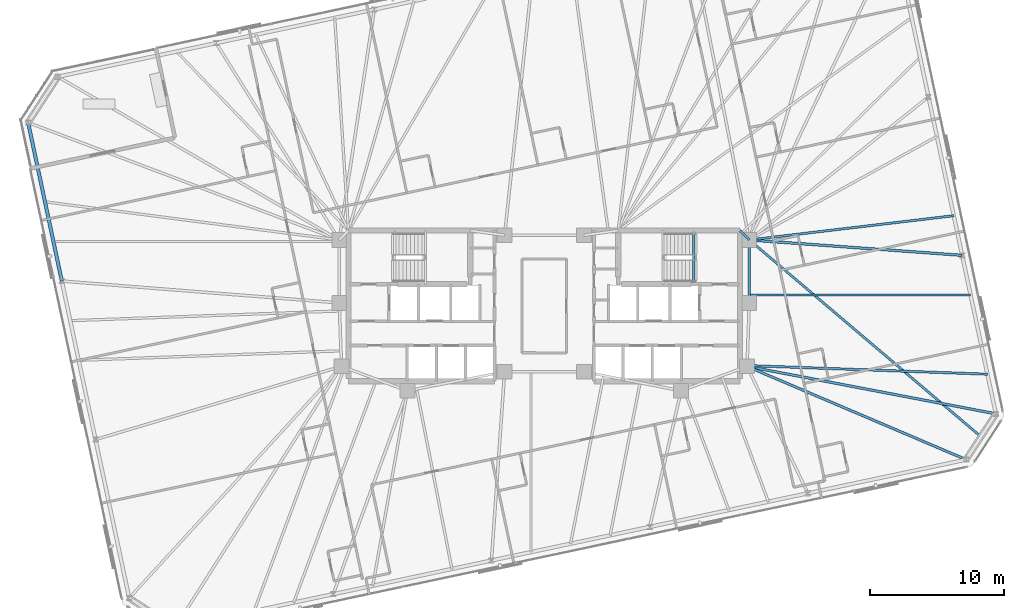
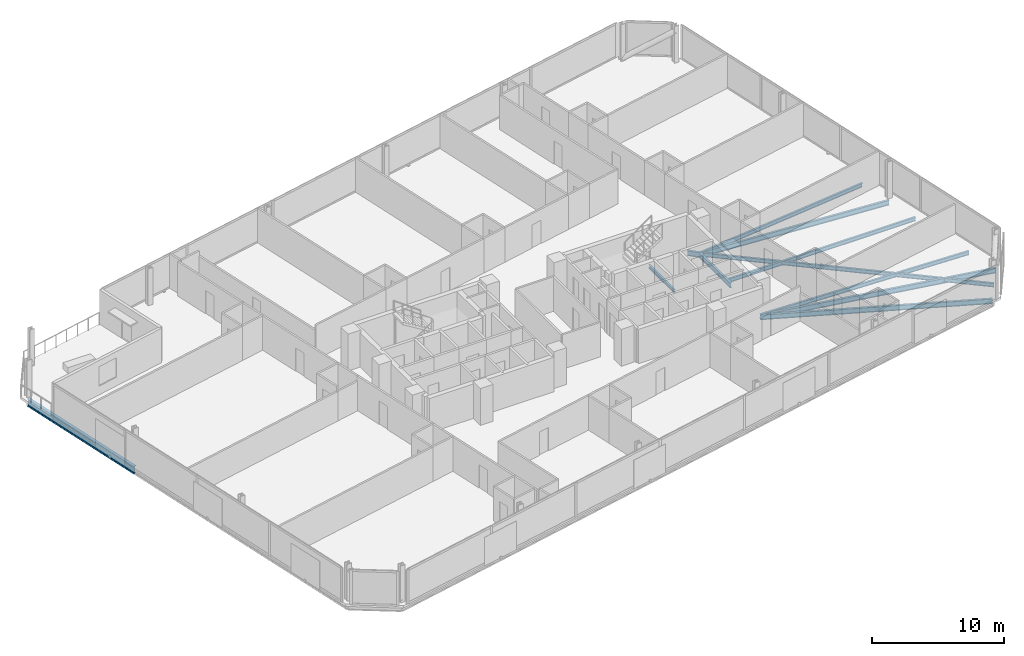
# One storey, part 9 of 20: 11 beams.
"""IFC4 building model written with IfcOpenShell, lengths in metres."""

from ifc_helpers import new_model, si_unit, direction, frame, origin, origin_2d, place, context, subcontext, project, spatial, i_section, extrude, material, material_profile, profile_set, type_object, element, save


model = new_model("IFC4")

# Units and contexts
model_context = context("Model", 3, precision=1e-05, world=origin(), true_north=direction((0.0, 1.0)))
body_context = subcontext(model_context, "Body", "Model", "MODEL_VIEW")
ifc_project = project(units=[si_unit("LENGTHUNIT", "METRE"), si_unit("AREAUNIT", "SQUARE_METRE"), si_unit("VOLUMEUNIT", "CUBIC_METRE"), si_unit("PLANEANGLEUNIT", "RADIAN"), si_unit("MASSUNIT", "GRAM", prefix="KILO")], contexts=[model_context])

# Site, building, storey
site_placement = place(None, origin())
site = spatial("IfcSite", under=ifc_project, at=site_placement, CompositionType="ELEMENT")
building_placement = place(site_placement, origin())
building = spatial("IfcBuilding", under=site, at=building_placement, Name="Menara Jurai Vektor", CompositionType="ELEMENT")
storey_placement = place(building_placement, frame((0.0, 0.0, 175.199951171875)))
storey = spatial("IfcBuildingStorey", under=building, at=storey_placement, Name="L45", CompositionType="ELEMENT", Elevation=175.199951171875)

# Beams
ifc_material_1 = material(Name="Steel S355", Category="steel")
ifc_material_profile_1 = material_profile(ifc_material_1, i_section(OverallWidth=0.19091796875, OverallDepth=0.4599609375, WebThickness=0.010009765625, FlangeThickness=0.01611328125, FilletRadius=0.010009765625, at=origin_2d()), Name="UKB 457x191x82")
ifc_profile_set_1 = profile_set([ifc_material_profile_1], Name="Steel S355")
beam_type_1 = type_object("IfcBeamType", Name="STR-BM-457", PredefinedType="BEAM", material=ifc_profile_set_1)
beam_1_placement = place(storey_placement, frame((14.56005859375, 5.60009765625, -0.454833984375), z_axis=(0.701871936926, -0.712303154672, 0.0), x_axis=(0.712303154672, 0.701871936926, 0.0)))
element("IfcBeam", 1, at=beam_1_placement, inside=storey, type_object=beam_type_1, Name="Core Ring Header Girder L45-CHE-N2", PredefinedType="BEAM", context=body_context, shape_type="SweptSolid", body=[
    extrude(i_section(OverallWidth=0.19091796875, OverallDepth=0.4599609375, WebThickness=0.010009765625, FlangeThickness=0.01611328125, FilletRadius=0.010009765625, at=origin_2d()), origin(), (0.0, 0.0, 1.0), 0.98291015625),
])
beam_2_placement = place(storey_placement, frame((15.25, 0.219970703125, -0.454833984375), z_axis=(0.0, 1.0, 0.0), x_axis=(-1.0, 0.0, 0.0)))
element("IfcBeam", 2, at=beam_2_placement, inside=storey, type_object=beam_type_1, Name="Core Ring Header Girder L45-CHE-E1", PredefinedType="BEAM", context=body_context, shape_type="SweptSolid", body=[
    extrude(i_section(OverallWidth=0.19091796875, OverallDepth=0.4599609375, WebThickness=0.010009765625, FlangeThickness=0.01611328125, FilletRadius=0.010009765625, at=origin_2d()), origin(), (0.0, 0.0, 1.0), 4.679931640625),
])
beam_3_placement = place(storey_placement, frame((31.376220703125, -11.438720703125, -0.454833984375), z_axis=(-0.920069342045, 0.391755543458, 0.0), x_axis=(-0.391755543458, -0.920069342045, 0.0)))
element("IfcBeam", 3, at=beam_3_placement, inside=storey, type_object=beam_type_1, Name="Radial Floor Girder L45-S6", PredefinedType="BEAM", context=body_context, shape_type="SweptSolid", body=[
    extrude(i_section(OverallWidth=0.19091796875, OverallDepth=0.4599609375, WebThickness=0.010009765625, FlangeThickness=0.01611328125, FilletRadius=0.010009765625, at=origin_2d()), origin(), (0.0, 0.0, 1.0), 17.7119140625),
])
beam_4_placement = place(storey_placement, frame((33.588623046875, -8.031982421875, -0.454833984375), z_axis=(-0.982274660407, 0.187447303322, 0.0), x_axis=(-0.187447303322, -0.982274660407, 0.0)))
element("IfcBeam", 4, at=beam_4_placement, inside=storey, type_object=beam_type_1, Name="Radial Floor Girder L45-E1", PredefinedType="BEAM", context=body_context, shape_type="SweptSolid", body=[
    extrude(i_section(OverallWidth=0.19091796875, OverallDepth=0.4599609375, WebThickness=0.010009765625, FlangeThickness=0.01611328125, FilletRadius=0.010009765625, at=origin_2d()), origin(), (0.0, 0.0, 1.0), 18.842529296875),
])
beam_5_placement = place(storey_placement, frame((31.082763671875, 3.75634765625, -0.454833984375), z_axis=(-0.997401783921, 0.072039443584, 0.0), x_axis=(-0.072039443584, -0.997401783921, 0.0)))
element("IfcBeam", 5, at=beam_5_placement, inside=storey, type_object=beam_type_1, Name="Radial Floor Girder L45-E2", PredefinedType="BEAM", context=body_context, shape_type="SweptSolid", body=[
    extrude(i_section(OverallWidth=0.19091796875, OverallDepth=0.4599609375, WebThickness=0.010009765625, FlangeThickness=0.01611328125, FilletRadius=0.010009765625, at=origin_2d()), origin(), (0.0, 0.0, 1.0), 15.8740234375),
])
ifc_material_profile_2 = material_profile(ifc_material_1, i_section(OverallWidth=0.172119140625, OverallDepth=0.35498046875, WebThickness=0.007080078125, FlangeThickness=0.011962890625, FilletRadius=0.010009765625, at=origin_2d()), Name="UKB 356x171x51")
ifc_profile_set_2 = profile_set([ifc_material_profile_2], Name="Steel S355")
beam_type_2 = type_object("IfcBeamType", Name="STR-JS-356", PredefinedType="JOIST", material=ifc_profile_set_2)
beam_6_placement = place(storey_placement, frame((32.482421875, -9.7353515625, -0.40234375), z_axis=(-0.762207822165, 0.6473323998, 0.0), x_axis=(-0.6473323998, -0.762207822165, 0.0)))
element("IfcBeam", 6, at=beam_6_placement, inside=storey, type_object=beam_type_2, Name="Radial Secondary Floor Joist L45-JS10", PredefinedType="JOIST", context=body_context, shape_type="SweptSolid", body=[
    extrude(i_section(OverallWidth=0.172119140625, OverallDepth=0.35498046875, WebThickness=0.007080078125, FlangeThickness=0.011962890625, FilletRadius=0.010009765625, at=origin_2d()), origin(), (0.0, 0.0, 1.0), 22.608642578125),
])
beam_7_placement = place(storey_placement, frame((32.962158203125, -5.0849609375, -0.40234375), z_axis=(-0.999351908775, 0.035996700238, 0.0), x_axis=(-0.035996700238, -0.999351908775, 0.0)))
element("IfcBeam", 7, at=beam_7_placement, inside=storey, type_object=beam_type_2, Name="Radial Secondary Floor Joist L45-JS11", PredefinedType="JOIST", context=body_context, shape_type="SweptSolid", body=[
    extrude(i_section(OverallWidth=0.172119140625, OverallDepth=0.35498046875, WebThickness=0.007080078125, FlangeThickness=0.011962890625, FilletRadius=0.010009765625, at=origin_2d()), origin(), (0.0, 0.0, 1.0), 17.8916015625),
])
beam_8_placement = place(storey_placement, frame((31.709228515625, 0.809326171875, -0.40234375), z_axis=(-1.0, 0.0, 0.0), x_axis=(0.0, -1.0, 0.0)))
element("IfcBeam", 8, at=beam_8_placement, inside=storey, type_object=beam_type_2, Name="Radial Secondary Floor Joist L45-JS12", PredefinedType="JOIST", context=body_context, shape_type="SweptSolid", body=[
    extrude(i_section(OverallWidth=0.172119140625, OverallDepth=0.35498046875, WebThickness=0.007080078125, FlangeThickness=0.011962890625, FilletRadius=0.010009765625, at=origin_2d()), origin(), (0.0, 0.0, 1.0), 16.459228515625),
])
beam_9_placement = place(storey_placement, frame((30.456298828125, 6.70361328125, -0.40234375), z_axis=(-0.993038492178, -0.11779029269, 0.0), x_axis=(0.11779029269, -0.993038492178, 0.0)))
element("IfcBeam", 9, at=beam_9_placement, inside=storey, type_object=beam_type_2, Name="Radial Secondary Floor Joist L45-JS13", PredefinedType="JOIST", context=body_context, shape_type="SweptSolid", body=[
    extrude(i_section(OverallWidth=0.172119140625, OverallDepth=0.35498046875, WebThickness=0.007080078125, FlangeThickness=0.011962890625, FilletRadius=0.010009765625, at=origin_2d()), origin(), (0.0, 0.0, 1.0), 15.31298828125),
])
ifc_material_profile_3 = material_profile(ifc_material_1, i_section(OverallWidth=0.1650390625, OverallDepth=0.302978515625, WebThickness=0.006103515625, FlangeThickness=0.010009765625, FilletRadius=0.009033203125, at=origin_2d()), Name="UKB 305x165x40")
ifc_profile_set_3 = profile_set([ifc_material_profile_3], Name="Steel S355")
beam_type_3 = type_object("IfcBeamType", Name="STR-LN-305", PredefinedType="LINTEL", material=ifc_profile_set_3)
beam_10_placement = place(storey_placement, frame((11.1201171875, 1.60009765625, -0.37646484375), z_axis=(0.0, 1.0, 0.0), x_axis=(-1.0, 0.0, 0.0)))
element("IfcBeam", 10, at=beam_10_placement, inside=storey, type_object=beam_type_3, Name="Stair Well Floor Trimmer ST2 L45", PredefinedType="LINTEL", context=body_context, shape_type="SweptSolid", body=[
    extrude(i_section(OverallWidth=0.1650390625, OverallDepth=0.302978515625, WebThickness=0.006103515625, FlangeThickness=0.010009765625, FilletRadius=0.009033203125, at=origin_2d()), origin(), (0.0, 0.0, 1.0), 3.81982421875),
])
ifc_material_2 = material(Name="Steel S460", Category="steel")
ifc_material_profile_4 = material_profile(ifc_material_2, i_section(OverallWidth=0.256103515625, OverallDepth=0.693115234375, WebThickness=0.013916015625, FlangeThickness=0.02392578125, FilletRadius=0.014892578125, at=origin_2d()), Name="UKB 686x254x170")
ifc_profile_set_4 = profile_set([ifc_material_profile_4], Name="Steel S460")
beam_type_4 = type_object("IfcBeamType", Name="STR-SP-686", PredefinedType="SPANDREL", material=ifc_profile_set_4)
beam_11_placement = place(storey_placement, frame((-38.388671875, 13.632080078125, -0.571533203125), z_axis=(0.207921262698, -0.978145566119, 0.0), x_axis=(0.978145566119, 0.207921262698, 0.0)))
element("IfcBeam", 11, at=beam_11_placement, inside=storey, type_object=beam_type_4, Name="Exoskeleton Spandrel Beam L45-17", PredefinedType="SPANDREL", context=body_context, shape_type="SweptSolid", body=[
    extrude(i_section(OverallWidth=0.256103515625, OverallDepth=0.693115234375, WebThickness=0.013916015625, FlangeThickness=0.02392578125, FilletRadius=0.014892578125, at=origin_2d()), origin(), (0.0, 0.0, 1.0), 12.052001953125),
])

save(model, "model.ifc")
